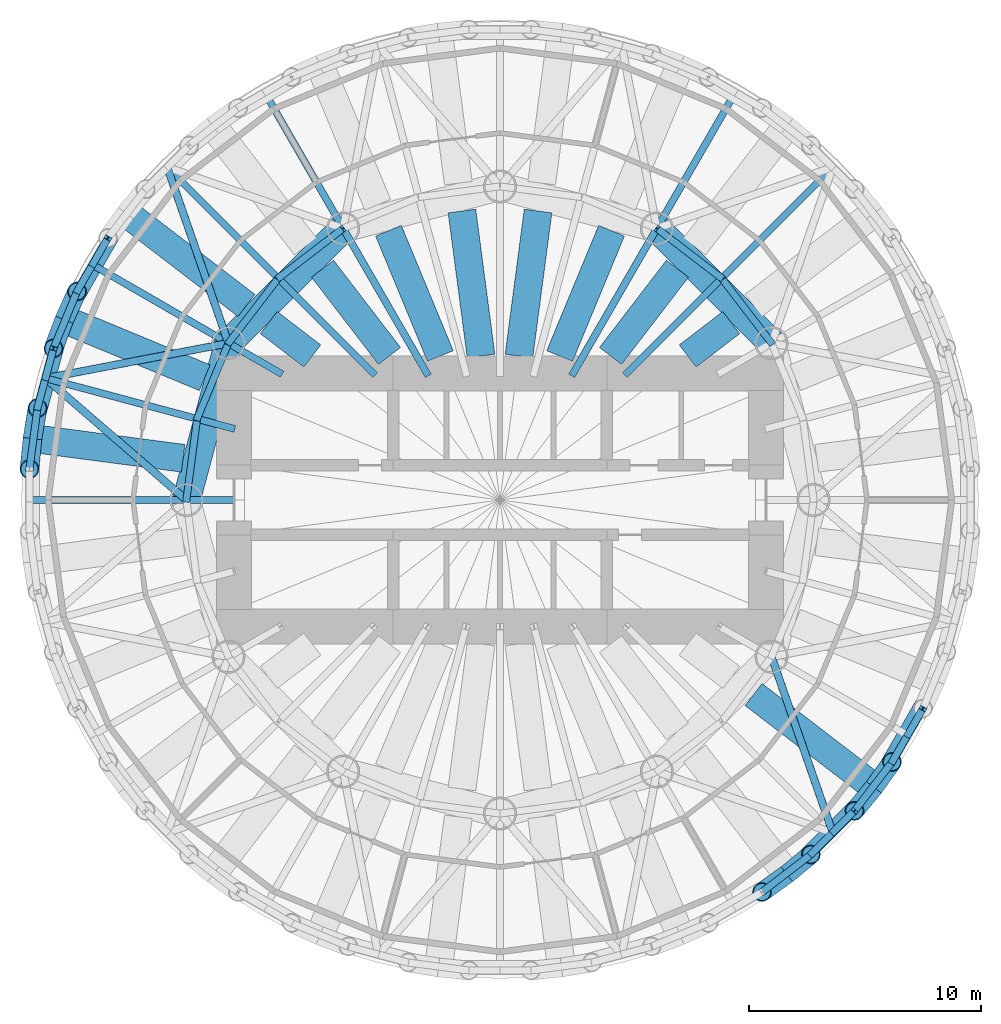
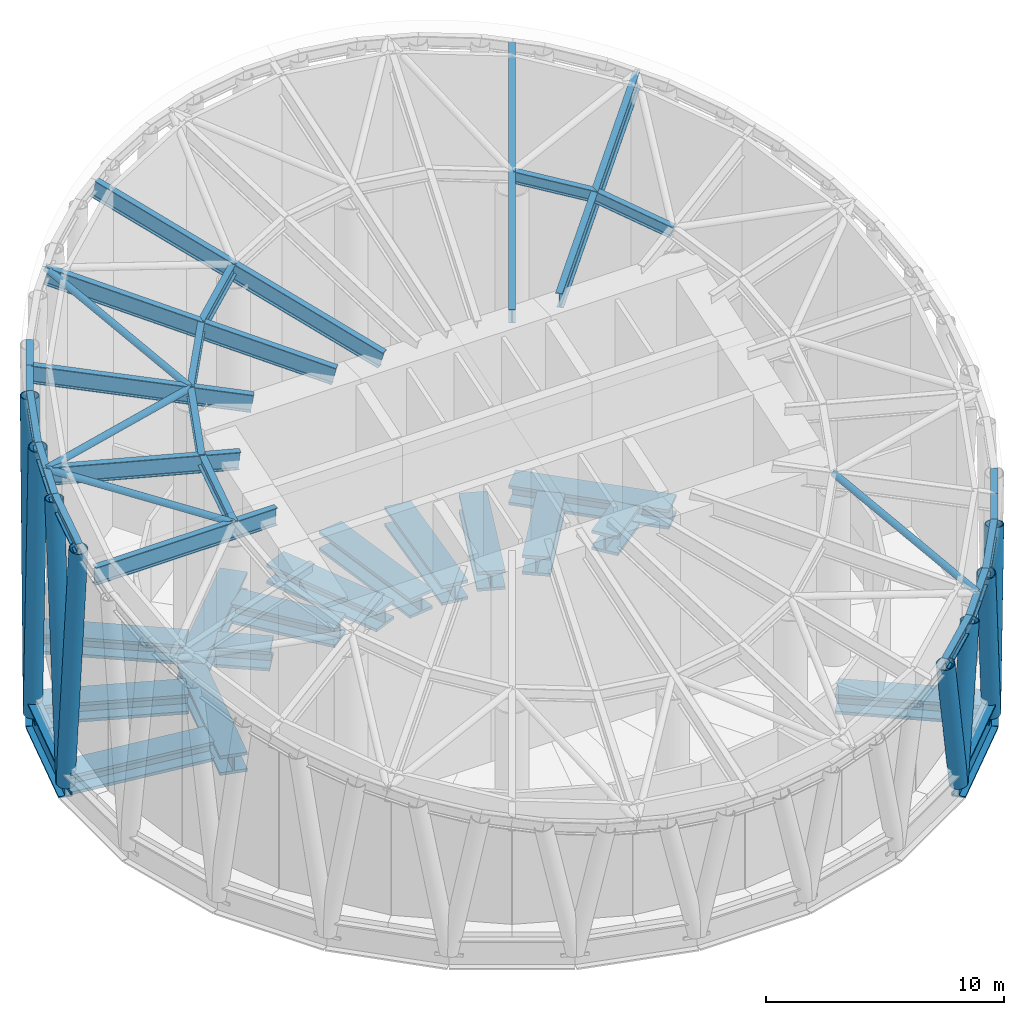
# One storey, part 3 of 9: 44 beams, 12 members.
"""IFC4 building model written with IfcOpenShell, lengths in metres."""

from ifc_helpers import new_model, si_unit, direction, frame, origin, origin_2d, place, context, subcontext, project, spatial, hollow_circle, i_section, extrude, material, material_profile, profile_set, type_object, element, save


model = new_model("IFC4")

# Units and contexts
model_context = context("Model", 3, precision=1e-05, world=origin(), true_north=direction((0.0, 1.0)))
body_context = subcontext(model_context, "Body", "Model", "MODEL_VIEW")
ifc_project = project(units=[si_unit("LENGTHUNIT", "METRE"), si_unit("AREAUNIT", "SQUARE_METRE"), si_unit("VOLUMEUNIT", "CUBIC_METRE"), si_unit("PLANEANGLEUNIT", "RADIAN"), si_unit("MASSUNIT", "GRAM", prefix="KILO")], contexts=[model_context])

# Site, building, storey
site_placement = place(None, origin())
site = spatial("IfcSite", under=ifc_project, at=site_placement, CompositionType="ELEMENT")
building_placement = place(site_placement, origin())
building = spatial("IfcBuilding", under=site, at=building_placement, Name="Qaws Media Tower", CompositionType="ELEMENT")
storey_placement = place(building_placement, frame((0.0, 0.0, 286.39990234375)))
storey = spatial("IfcBuildingStorey", under=building, at=storey_placement, Name="L66", CompositionType="ELEMENT", Elevation=286.39990234375)

# Members
ifc_material_1 = material(Name="Steel S355", Category="steel")
ifc_material_profile_1 = material_profile(ifc_material_1, hollow_circle(Radius=0.406494140625, WallThickness=0.0400390625, at=origin_2d()), Name="CHS 813x40")
ifc_profile_set_1 = profile_set([ifc_material_profile_1], Name="Steel S355")
member_type_1 = type_object("IfcMemberType", Name="Crown diagrid member CHS 813x40", PredefinedType="USERDEFINED", material=ifc_profile_set_1)
member_1_placement = place(storey_placement, frame((41.245361328125, 57.7685546875, -1.0), z_axis=(-0.032019466778, -0.085067889567, 0.995860536376), x_axis=(0.935898018612, -0.352271058645, 0.0)))
element("IfcMember", 1, at=member_1_placement, inside=storey, type_object=member_type_1, Name="DG5 crown diagrid A11", ObjectType="DIAGRID", PredefinedType="USERDEFINED", context=body_context, shape_type="SweptSolid", body=[
    extrude(hollow_circle(Radius=0.406494140625, WallThickness=0.0400390625, at=origin_2d()), origin(), (0.0, 0.0, 1.0), 14.61669921875),
])
member_2_placement = place(storey_placement, frame((41.245361328125, 57.7685546875, -1.0), z_axis=(0.035566092022, 0.078514722522, 0.996278320273), x_axis=(-0.910900743687, 0.412625538656, 0.0)))
element("IfcMember", 2, at=member_2_placement, inside=storey, type_object=member_type_1, Name="DG5 crown diagrid B11", ObjectType="DIAGRID", PredefinedType="USERDEFINED", context=body_context, shape_type="SweptSolid", body=[
    extrude(hollow_circle(Radius=0.406494140625, WallThickness=0.0400390625, at=origin_2d()), origin(), (0.0, 0.0, 1.0), 15.41064453125),
])
member_3_placement = place(storey_placement, frame((39.873779296875, 52.649658203125, -1.0), z_axis=(-0.0100782986, -0.102198477375, 0.994712973234), x_axis=(0.995172725199, -0.098138916945, 0.0)))
element("IfcMember", 3, at=member_3_placement, inside=storey, type_object=member_type_1, Name="DG5 crown diagrid A12", ObjectType="DIAGRID", PredefinedType="USERDEFINED", context=body_context, shape_type="SweptSolid", body=[
    extrude(hollow_circle(Radius=0.406494140625, WallThickness=0.0400390625, at=origin_2d()), origin(), (0.0, 0.0, 1.0), 12.935791015625),
])
member_4_placement = place(storey_placement, frame((39.873779296875, 52.649658203125, -1.0), z_axis=(0.015689526543, 0.09507569753, 0.995346397239), x_axis=(-0.986655896054, 0.162819356287, 0.0)))
element("IfcMember", 4, at=member_4_placement, inside=storey, type_object=member_type_1, Name="DG5 crown diagrid B12", ObjectType="DIAGRID", PredefinedType="USERDEFINED", context=body_context, shape_type="SweptSolid", body=[
    extrude(hollow_circle(Radius=0.406494140625, WallThickness=0.0400390625, at=origin_2d()), origin(), (0.0, 0.0, 1.0), 13.786865234375),
])
member_5_placement = place(storey_placement, frame((72.35791015625, 33.89501953125, -1.0), z_axis=(0.135217273694, 0.110945033647, 0.984584932042), x_axis=(-0.634308161704, 0.773080303717, 0.0)))
element("IfcMember", 5, at=member_5_placement, inside=storey, type_object=member_type_1, Name="DG5 crown diagrid A21", ObjectType="DIAGRID", PredefinedType="USERDEFINED", context=body_context, shape_type="SweptSolid", body=[
    extrude(hollow_circle(Radius=0.406494140625, WallThickness=0.0400390625, at=origin_2d()), origin(), (0.0, 0.0, 1.0), 7.593994140625),
])
member_6_placement = place(storey_placement, frame((72.35791015625, 33.89501953125, -1.0), z_axis=(-0.152573445838, -0.109350627019, 0.98222389708), x_axis=(0.582541199639, -0.812801175395, 0.0)))
element("IfcMember", 6, at=member_6_placement, inside=storey, type_object=member_type_1, Name="DG5 crown diagrid B21", ObjectType="DIAGRID", PredefinedType="USERDEFINED", context=body_context, shape_type="SweptSolid", body=[
    extrude(hollow_circle(Radius=0.406494140625, WallThickness=0.0400390625, at=origin_2d()), origin(), (0.0, 0.0, 1.0), 7.077392578125),
])
member_7_placement = place(storey_placement, frame((76.10498046875, 37.64208984375, -1.0), z_axis=(0.087237070929, 0.121719105589, 0.988723496631), x_axis=(-0.812801175395, 0.582541199639, 0.0)))
element("IfcMember", 7, at=member_7_placement, inside=storey, type_object=member_type_1, Name="DG5 crown diagrid A22", ObjectType="DIAGRID", PredefinedType="USERDEFINED", context=body_context, shape_type="SweptSolid", body=[
    extrude(hollow_circle(Radius=0.406494140625, WallThickness=0.0400390625, at=origin_2d()), origin(), (0.0, 0.0, 1.0), 8.87158203125),
])
member_8_placement = place(storey_placement, frame((76.10498046875, 37.64208984375, -1.0), z_axis=(-0.102806764596, -0.125298537204, 0.986778113726), x_axis=(0.773080303717, -0.634308161704, 0.0)))
element("IfcMember", 8, at=member_8_placement, inside=storey, type_object=member_type_1, Name="DG5 crown diagrid B22", ObjectType="DIAGRID", PredefinedType="USERDEFINED", context=body_context, shape_type="SweptSolid", body=[
    extrude(hollow_circle(Radius=0.406494140625, WallThickness=0.0400390625, at=origin_2d()), origin(), (0.0, 0.0, 1.0), 8.1953125),
])

# Beams
ifc_material_2 = material(Name="Steel S355", Category="steel")
ifc_material_profile_2 = material_profile(ifc_material_2, i_section(OverallWidth=0.304931640625, OverallDepth=0.6201171875, WebThickness=0.02099609375, FlangeThickness=0.0400390625, FilletRadius=0.027099609375, at=origin_2d()), Name="HE 600 M")
ifc_profile_set_2 = profile_set([ifc_material_profile_2], Name="Steel S355")
beam_type_1 = type_object("IfcBeamType", Name="Crown edge beam HE 600 M", PredefinedType="BEAM", material=ifc_profile_set_2)
beam_1_placement = place(storey_placement, frame((43.12109375, 61.278076171875, 15.100341796875), z_axis=(-0.48127315493, -0.833687590923, -0.270815714249), x_axis=(0.866050862637, -0.499955901382, 0.0)))
element("IfcBeam", 9, at=beam_1_placement, inside=storey, type_object=beam_type_1, Name="B5 crown edge beam 20 part a", PredefinedType="BEAM", context=body_context, shape_type="SweptSolid", body=[
    extrude(i_section(OverallWidth=0.304931640625, OverallDepth=0.6201171875, WebThickness=0.02099609375, FlangeThickness=0.0400390625, FilletRadius=0.027099609375, at=origin_2d()), origin(), (0.0, 0.0, 1.0), 1.37939453125),
])
beam_2_placement = place(storey_placement, frame((42.457275390625, 60.128173828125, 14.726806640625), z_axis=(-0.481344182578, -0.833633599029, -0.270855681995), x_axis=(0.866004891035, -0.500035527442, 0.0)))
element("IfcBeam", 10, at=beam_2_placement, inside=storey, type_object=beam_type_1, Name="B5 crown edge beam 20 part b", PredefinedType="BEAM", context=body_context, shape_type="SweptSolid", body=[
    extrude(i_section(OverallWidth=0.304931640625, OverallDepth=0.6201171875, WebThickness=0.02099609375, FlangeThickness=0.0400390625, FilletRadius=0.027099609375, at=origin_2d()), origin(), (0.0, 0.0, 1.0), 1.379150390625),
])
beam_3_placement = place(storey_placement, frame((41.79345703125, 58.978515625, 14.353271484375), z_axis=(-0.366493573398, -0.884885612465, -0.287506371251), x_axis=(0.923893577046, -0.382649524099, 0.0)))
element("IfcBeam", 11, at=beam_3_placement, inside=storey, type_object=beam_type_1, Name="B5 crown edge beam 21", PredefinedType="BEAM", context=body_context, shape_type="SweptSolid", body=[
    extrude(i_section(OverallWidth=0.304931640625, OverallDepth=0.6201171875, WebThickness=0.02099609375, FlangeThickness=0.0400390625, FilletRadius=0.027099609375, at=origin_2d()), origin(), (0.0, 0.0, 1.0), 2.7724609375),
])
beam_4_placement = place(storey_placement, frame((40.77734375, 56.525146484375, 13.55615234375), z_axis=(-0.247016319805, -0.921574380637, -0.299472200218), x_axis=(0.965904544249, -0.258898457701, 0.0)))
element("IfcBeam", 12, at=beam_4_placement, inside=storey, type_object=beam_type_1, Name="B5 crown edge beam 22 part a", PredefinedType="BEAM", context=body_context, shape_type="SweptSolid", body=[
    extrude(i_section(OverallWidth=0.304931640625, OverallDepth=0.6201171875, WebThickness=0.02099609375, FlangeThickness=0.0400390625, FilletRadius=0.027099609375, at=origin_2d()), origin(), (0.0, 0.0, 1.0), 1.3916015625),
])
beam_5_placement = place(storey_placement, frame((40.43359375, 55.24267578125, 13.139404296875), z_axis=(-0.246891496102, -0.921587873153, -0.299533606145), x_axis=(0.965938200976, -0.258772857725, 0.0)))
element("IfcBeam", 13, at=beam_5_placement, inside=storey, type_object=beam_type_1, Name="B5 crown edge beam 22 part b", PredefinedType="BEAM", context=body_context, shape_type="SweptSolid", body=[
    extrude(i_section(OverallWidth=0.304931640625, OverallDepth=0.6201171875, WebThickness=0.02099609375, FlangeThickness=0.0400390625, FilletRadius=0.027099609375, at=origin_2d()), origin(), (0.0, 0.0, 1.0), 1.391357421875),
])
beam_6_placement = place(storey_placement, frame((40.090087890625, 53.96044921875, 12.72265625), z_axis=(-0.124264357392, -0.943709035289, -0.30654791827), x_axis=(0.991441774115, -0.130549640138, 0.0)))
element("IfcBeam", 14, at=beam_6_placement, inside=storey, type_object=beam_type_1, Name="B5 crown edge beam 23", PredefinedType="BEAM", context=body_context, shape_type="SweptSolid", body=[
    extrude(i_section(OverallWidth=0.304931640625, OverallDepth=0.6201171875, WebThickness=0.02099609375, FlangeThickness=0.0400390625, FilletRadius=0.027099609375, at=origin_2d()), origin(), (0.0, 0.0, 1.0), 2.789794921875),
])
beam_7_placement = place(storey_placement, frame((71.278076171875, 33.12109375, 5.95166015625), z_axis=(0.778277328029, 0.597169334672, 0.194095817582), x_axis=(-0.608746117959, 0.793365088638, 0.0)))
element("IfcBeam", 15, at=beam_7_placement, inside=storey, type_object=beam_type_1, Name="B5 crown edge beam 41", PredefinedType="BEAM", context=body_context, shape_type="SweptSolid", body=[
    extrude(i_section(OverallWidth=0.304931640625, OverallDepth=0.6201171875, WebThickness=0.02099609375, FlangeThickness=0.0400390625, FilletRadius=0.027099609375, at=origin_2d()), origin(), (0.0, 0.0, 1.0), 2.706787109375),
])
for number, where, z_axis, x_axis, name in (
    (16, (73.384765625, 34.737548828125, 6.47705078125), (0.689075381451, 0.689254594814, 0.223837490619), (-0.70719871472, 0.707014835699, 0.0), "B5 crown edge beam 42 part a"),
    (17, (74.323486328125, 35.676513671875, 6.781982421875), (0.689254594814, 0.689075381451, 0.223837490619), (-0.707014835699, 0.70719871472, 0.0), "B5 crown edge beam 42 part b"),
):
    element("IfcBeam", number, at=place(storey_placement, frame(where, z_axis=z_axis, x_axis=x_axis)), inside=storey, type_object=beam_type_1, Name=name, PredefinedType="BEAM", context=body_context, shape_type="SweptSolid", body=[
        extrude(i_section(OverallWidth=0.304931640625, OverallDepth=0.6201171875, WebThickness=0.02099609375, FlangeThickness=0.0400390625, FilletRadius=0.027099609375, at=origin_2d()), origin(), (0.0, 0.0, 1.0), 1.3623046875),
    ])
beam_8_placement = place(storey_placement, frame((75.262451171875, 36.615234375, 7.0869140625), z_axis=(0.589472117613, 0.768245718604, 0.249642020508), x_axis=(-0.793365088638, 0.608746117959, 0.0)))
element("IfcBeam", 18, at=beam_8_placement, inside=storey, type_object=beam_type_1, Name="B5 crown edge beam 43", PredefinedType="BEAM", context=body_context, shape_type="SweptSolid", body=[
    extrude(i_section(OverallWidth=0.304931640625, OverallDepth=0.6201171875, WebThickness=0.02099609375, FlangeThickness=0.0400390625, FilletRadius=0.027099609375, at=origin_2d()), origin(), (0.0, 0.0, 1.0), 2.7421875),
])
beam_9_placement = place(storey_placement, frame((76.87890625, 38.721923828125, 7.771484375), z_axis=(0.48127315493, 0.833687590923, 0.270815714249), x_axis=(-0.866050862637, 0.499955901382, 0.0)))
element("IfcBeam", 19, at=beam_9_placement, inside=storey, type_object=beam_type_1, Name="B5 crown edge beam 44 part a", PredefinedType="BEAM", context=body_context, shape_type="SweptSolid", body=[
    extrude(i_section(OverallWidth=0.304931640625, OverallDepth=0.6201171875, WebThickness=0.02099609375, FlangeThickness=0.0400390625, FilletRadius=0.027099609375, at=origin_2d()), origin(), (0.0, 0.0, 1.0), 1.37939453125),
])
beam_10_placement = place(storey_placement, frame((77.542724609375, 39.871826171875, 8.14501953125), z_axis=(0.481321096463, 0.833593616493, 0.271019712646), x_axis=(-0.866004891035, 0.500035527442, 0.0)))
element("IfcBeam", 20, at=beam_10_placement, inside=storey, type_object=beam_type_1, Name="B5 crown edge beam 44 part b", PredefinedType="BEAM", context=body_context, shape_type="SweptSolid", body=[
    extrude(i_section(OverallWidth=0.304931640625, OverallDepth=0.6201171875, WebThickness=0.02099609375, FlangeThickness=0.0400390625, FilletRadius=0.027099609375, at=origin_2d()), origin(), (0.0, 0.0, 1.0), 1.379150390625),
])
ifc_material_3 = material(Name="Steel S355", Category="steel")
ifc_material_profile_3 = material_profile(ifc_material_3, i_section(OverallWidth=0.300048828125, OverallDepth=0.89990234375, WebThickness=0.0185546875, FlangeThickness=0.034912109375, FilletRadius=0.030029296875, at=origin_2d()), Name="HE 900 B")
ifc_profile_set_3 = profile_set([ifc_material_profile_3], Name="Steel S355")
beam_type_2 = type_object("IfcBeamType", Name="Crown rafter HE 900 B", PredefinedType="BEAM", material=ifc_profile_set_3)
beam_11_placement = place(storey_placement, frame((65.449951171875, 55.449951171875, 13.070556640625), z_axis=(0.689150386307, 0.689150386307, 0.223927421512), x_axis=(-0.707106781187, 0.707106781187, 0.0)))
element("IfcBeam", 21, at=beam_11_placement, inside=storey, type_object=beam_type_2, Name="B4 crown rafter 04", PredefinedType="BEAM", context=body_context, shape_type="SweptSolid", body=[
    extrude(i_section(OverallWidth=0.300048828125, OverallDepth=0.89990234375, WebThickness=0.0185546875, FlangeThickness=0.034912109375, FilletRadius=0.030029296875, at=origin_2d()), origin(), (0.0, 0.0, 1.0), 12.8759765625),
])
for number, where, z_axis, x_axis, name in (
    (22, (63.146484375, 55.449951171875, 13.074951171875), (0.481303840688, 0.833651845892, 0.270871210688), (-0.8660277775, 0.499995888581, 0.0), "B4 crown rafter 05"),
    (23, (56.853515625, 55.449951171875, 13.074951171875), (-0.481303840688, 0.833651845892, 0.270871210688), (-0.8660277775, -0.499995888581, 0.0), "B4 crown rafter 09"),
):
    element("IfcBeam", number, at=place(storey_placement, frame(where, z_axis=z_axis, x_axis=x_axis)), inside=storey, type_object=beam_type_2, Name=name, PredefinedType="BEAM", context=body_context, shape_type="SweptSolid", body=[
        extrude(i_section(OverallWidth=0.300048828125, OverallDepth=0.89990234375, WebThickness=0.0185546875, FlangeThickness=0.034912109375, FilletRadius=0.030029296875, at=origin_2d()), origin(), (0.0, 0.0, 1.0), 14.505859375),
    ])
beam_12_placement = place(storey_placement, frame((54.550048828125, 55.449951171875, 13.070556640625), z_axis=(-0.689150386307, 0.689150386307, 0.223927421512), x_axis=(-0.707106781187, -0.707106781187, 0.0)))
element("IfcBeam", 24, at=beam_12_placement, inside=storey, type_object=beam_type_2, Name="B4 crown rafter 10", PredefinedType="BEAM", context=body_context, shape_type="SweptSolid", body=[
    extrude(i_section(OverallWidth=0.300048828125, OverallDepth=0.89990234375, WebThickness=0.0185546875, FlangeThickness=0.034912109375, FilletRadius=0.030029296875, at=origin_2d()), origin(), (0.0, 0.0, 1.0), 12.8759765625),
])
beam_13_placement = place(storey_placement, frame((50.560302734375, 55.449951171875, 13.068603515625), z_axis=(-0.854821637434, 0.493524923667, 0.160353103786), x_axis=(-0.499995001195, -0.866028289827, 0.0)))
element("IfcBeam", 25, at=beam_13_placement, inside=storey, type_object=beam_type_2, Name="B4 crown rafter 11", PredefinedType="BEAM", context=body_context, shape_type="SweptSolid", body=[
    extrude(i_section(OverallWidth=0.300048828125, OverallDepth=0.89990234375, WebThickness=0.0185546875, FlangeThickness=0.034912109375, FilletRadius=0.030029296875, at=origin_2d()), origin(), (0.0, 0.0, 1.0), 9.479248046875),
])
beam_14_placement = place(storey_placement, frame((48.550048828125, 53.068115234375, 12.294189453125), z_axis=(-0.962536158598, 0.25788267603, 0.083789431282), x_axis=(-0.258792725137, -0.965932878318, 0.0)))
element("IfcBeam", 26, at=beam_14_placement, inside=storey, type_object=beam_type_2, Name="B4 crown rafter 12", PredefinedType="BEAM", context=body_context, shape_type="SweptSolid", body=[
    extrude(i_section(OverallWidth=0.300048828125, OverallDepth=0.89990234375, WebThickness=0.0185546875, FlangeThickness=0.034912109375, FilletRadius=0.030029296875, at=origin_2d()), origin(), (0.0, 0.0, 1.0), 8.432373046875),
])
beam_15_placement = place(storey_placement, frame((48.550048828125, 50.0, 11.297119140625), z_axis=(-1.0, 0.0, 0.0), x_axis=(0.0, -1.0, 0.0)))
element("IfcBeam", 27, at=beam_15_placement, inside=storey, type_object=beam_type_2, Name="B4 crown rafter 13", PredefinedType="BEAM", context=body_context, shape_type="SweptSolid", body=[
    extrude(i_section(OverallWidth=0.300048828125, OverallDepth=0.89990234375, WebThickness=0.0185546875, FlangeThickness=0.034912109375, FilletRadius=0.030029296875, at=origin_2d()), origin(), (0.0, 0.0, 1.0), 8.806640625),
])

# Members
ifc_material_4 = material(Name="Steel S355", Category="steel")
ifc_material_profile_4 = material_profile(ifc_material_4, hollow_circle(Radius=0.161865234375, WallThickness=0.01611328125, at=origin_2d()), Name="CHS 323.9x16")
ifc_profile_set_4 = profile_set([ifc_material_profile_4], Name="Steel S355")
member_type_2 = type_object("IfcMemberType", Name="Crown roof brace CHS 323.9x16", PredefinedType="BRACE", material=ifc_profile_set_4)
member_9_placement = place(storey_placement, frame((48.30859375, 56.75, 13.81884765625), z_axis=(-0.313828586776, 0.903003115701, 0.293422887923), x_axis=(-0.944580977399, -0.328278505443, 0.0)))
element("IfcMember", 28, at=member_9_placement, inside=storey, type_object=member_type_2, Name="CB1 crown roof brace 10", PredefinedType="BRACE", context=body_context, shape_type="SweptSolid", body=[
    extrude(hollow_circle(Radius=0.161865234375, WallThickness=0.01611328125, at=origin_2d()), origin(), (0.0, 0.0, 1.0), 8.386962890625),
])
member_10_placement = place(storey_placement, frame((48.30859375, 56.75, 13.81884765625), z_axis=(-0.980343185133, -0.187643812779, -0.060967523232), x_axis=(0.187993527685, -0.982170267086, 0.0)))
element("IfcMember", 29, at=member_10_placement, inside=storey, type_object=member_type_2, Name="CB1 crown roof brace 11", PredefinedType="BRACE", context=body_context, shape_type="SweptSolid", body=[
    extrude(hollow_circle(Radius=0.161865234375, WallThickness=0.01611328125, at=origin_2d()), origin(), (0.0, 0.0, 1.0), 8.032958984375),
])
member_11_placement = place(storey_placement, frame((46.5, 50.0, 11.625732421875), z_axis=(-0.740089664162, 0.639596162597, 0.207807694255), x_axis=(-0.653870348393, -0.756606613434, 0.0)))
element("IfcMember", 30, at=member_11_placement, inside=storey, type_object=member_type_2, Name="CB1 crown roof brace 12", PredefinedType="BRACE", context=body_context, shape_type="SweptSolid", body=[
    extrude(hollow_circle(Radius=0.161865234375, WallThickness=0.01611328125, at=origin_2d()), origin(), (0.0, 0.0, 1.0), 8.19677734375),
])
member_12_placement = place(storey_placement, frame((71.69140625, 43.25, 9.432373046875), z_axis=(0.313831267203, -0.903010828299, -0.293396284402), x_axis=(0.944580977399, 0.328278505443, 0.0)))
element("IfcMember", 31, at=member_12_placement, inside=storey, type_object=member_type_2, Name="CB1 crown roof brace 22", PredefinedType="BRACE", context=body_context, shape_type="SweptSolid", body=[
    extrude(hollow_circle(Radius=0.161865234375, WallThickness=0.01611328125, at=origin_2d()), origin(), (0.0, 0.0, 1.0), 8.386962890625),
])

# Beams
ifc_material_5 = material(Name="Steel S355", Category="steel")
ifc_material_profile_5 = material_profile(ifc_material_5, i_section(OverallWidth=0.300048828125, OverallDepth=0.60009765625, WebThickness=0.015380859375, FlangeThickness=0.030029296875, FilletRadius=0.027099609375, at=origin_2d()), Name="HE 600 B")
ifc_profile_set_5 = profile_set([ifc_material_profile_5], Name="Steel S355")
beam_type_3 = type_object("IfcBeamType", Name="Crown tie ring HE 600 B", PredefinedType="BEAM", material=ifc_profile_set_5)
beam_16_placement = place(storey_placement, frame((71.69140625, 56.75, 13.649658203125), z_axis=(-0.589515811886, 0.768222016126, 0.249611781523), x_axis=(-0.793334224718, -0.608786340099, 0.0)))
element("IfcBeam", 32, at=beam_16_placement, inside=storey, type_object=beam_type_3, Name="B17 crown tie ring 03", PredefinedType="BEAM", context=body_context, shape_type="SweptSolid", body=[
    extrude(i_section(OverallWidth=0.300048828125, OverallDepth=0.60009765625, WebThickness=0.015380859375, FlangeThickness=0.030029296875, FilletRadius=0.027099609375, at=origin_2d()), origin(), (0.0, 0.0, 1.0), 3.639404296875),
])
for number, where, z_axis, x_axis, name in (
    (33, (69.5458984375, 59.5458984375, 14.55322265625), (-0.778258787913, 0.597217798479, 0.194021030343), (-0.608786340099, -0.793334224718, 0.0), "B17 crown tie ring 04"),
    (34, (53.25, 61.69140625, 15.250244140625), (-0.778258787913, -0.597217798479, -0.194021030343), (0.608786340099, -0.793334224718, 0.0), "B17 crown tie ring 09"),
):
    element("IfcBeam", number, at=place(storey_placement, frame(where, z_axis=z_axis, x_axis=x_axis)), inside=storey, type_object=beam_type_3, Name=name, PredefinedType="BEAM", context=body_context, shape_type="SweptSolid", body=[
        extrude(i_section(OverallWidth=0.300048828125, OverallDepth=0.60009765625, WebThickness=0.015380859375, FlangeThickness=0.030029296875, FilletRadius=0.027099609375, at=origin_2d()), origin(), (0.0, 0.0, 1.0), 3.592529296875),
    ])
beam_17_placement = place(storey_placement, frame((50.4541015625, 59.5458984375, 14.55810546875), z_axis=(-0.589515811886, -0.768222016126, -0.249611781523), x_axis=(0.793334224718, -0.608786340099, 0.0)))
element("IfcBeam", 35, at=beam_17_placement, inside=storey, type_object=beam_type_3, Name="B17 crown tie ring 10", PredefinedType="BEAM", context=body_context, shape_type="SweptSolid", body=[
    extrude(i_section(OverallWidth=0.300048828125, OverallDepth=0.60009765625, WebThickness=0.015380859375, FlangeThickness=0.030029296875, FilletRadius=0.027099609375, at=origin_2d()), origin(), (0.0, 0.0, 1.0), 3.639404296875),
])
beam_18_placement = place(storey_placement, frame((48.30859375, 56.75, 13.6572265625), z_axis=(-0.366529070977, -0.884871775986, -0.28750370466), x_axis=(0.923878358498, -0.382686266672, 0.0)))
element("IfcBeam", 36, at=beam_18_placement, inside=storey, type_object=beam_type_3, Name="B17 crown tie ring 11", PredefinedType="BEAM", context=body_context, shape_type="SweptSolid", body=[
    extrude(i_section(OverallWidth=0.300048828125, OverallDepth=0.60009765625, WebThickness=0.015380859375, FlangeThickness=0.030029296875, FilletRadius=0.027099609375, at=origin_2d()), origin(), (0.0, 0.0, 1.0), 3.679443359375),
])
beam_19_placement = place(storey_placement, frame((46.9599609375, 53.494140625, 12.609619140625), z_axis=(-0.124225849898, -0.943694460585, -0.306608387488), x_axis=(0.991446748745, -0.130511855411, 0.0)))
element("IfcBeam", 37, at=beam_19_placement, inside=storey, type_object=beam_type_3, Name="B17 crown tie ring 12", PredefinedType="BEAM", context=body_context, shape_type="SweptSolid", body=[
    extrude(i_section(OverallWidth=0.300048828125, OverallDepth=0.60009765625, WebThickness=0.015380859375, FlangeThickness=0.030029296875, FilletRadius=0.027099609375, at=origin_2d()), origin(), (0.0, 0.0, 1.0), 3.70263671875),
])
ifc_material_6 = material(Name="Steel S460", Category="steel")
ifc_material_profile_6 = material_profile(ifc_material_6, i_section(OverallWidth=0.60009765625, OverallDepth=1.5, WebThickness=0.030029296875, FlangeThickness=0.080078125, at=origin_2d()), Name="PG 1500x600")
ifc_profile_set_6 = profile_set([ifc_material_profile_6], Name="Steel S460")
beam_type_4 = type_object("IfcBeamType", Name="Edge ring beam PG 1500x600", PredefinedType="BEAM", material=ifc_profile_set_6)
beam_20_placement = place(storey_placement, frame((43.89501953125, 62.35791015625, -1.0), z_axis=(-0.499998950975, -0.866026009438, 0.0), x_axis=(0.866026009438, -0.499998950975, 0.0)))
element("IfcBeam", 38, at=beam_20_placement, inside=storey, type_object=beam_type_4, Name="RB5 edge ring beam L66-10", PredefinedType="BEAM", context=body_context, shape_type="SweptSolid", body=[
    extrude(i_section(OverallWidth=0.60009765625, OverallDepth=1.5, WebThickness=0.030029296875, FlangeThickness=0.080078125, at=origin_2d()), origin(), (0.0, 0.0, 1.0), 5.29931640625),
])
beam_21_placement = place(storey_placement, frame((41.245361328125, 57.7685546875, -1.0), z_axis=(-0.258815145792, -0.965926871098, 0.0), x_axis=(0.965926871098, -0.258815145792, 0.0)))
element("IfcBeam", 39, at=beam_21_placement, inside=storey, type_object=beam_type_4, Name="RB5 edge ring beam L66-11", PredefinedType="BEAM", context=body_context, shape_type="SweptSolid", body=[
    extrude(i_section(OverallWidth=0.60009765625, OverallDepth=1.5, WebThickness=0.030029296875, FlangeThickness=0.080078125, at=origin_2d()), origin(), (0.0, 0.0, 1.0), 5.299560546875),
])
beam_22_placement = place(storey_placement, frame((72.35791015625, 33.89501953125, -1.0), z_axis=(0.707106781187, 0.707106781187, 0.0), x_axis=(-0.707106781187, 0.707106781187, 0.0)))
element("IfcBeam", 40, at=beam_22_placement, inside=storey, type_object=beam_type_4, Name="RB5 edge ring beam L66-21", PredefinedType="BEAM", context=body_context, shape_type="SweptSolid", body=[
    extrude(i_section(OverallWidth=0.60009765625, OverallDepth=1.5, WebThickness=0.030029296875, FlangeThickness=0.080078125, at=origin_2d()), origin(), (0.0, 0.0, 1.0), 5.299072265625),
])
beam_23_placement = place(storey_placement, frame((76.10498046875, 37.64208984375, -1.0), z_axis=(0.499998950975, 0.866026009438, 0.0), x_axis=(-0.866026009438, 0.499998950975, 0.0)))
element("IfcBeam", 41, at=beam_23_placement, inside=storey, type_object=beam_type_4, Name="RB5 edge ring beam L66-22", PredefinedType="BEAM", context=body_context, shape_type="SweptSolid", body=[
    extrude(i_section(OverallWidth=0.60009765625, OverallDepth=1.5, WebThickness=0.030029296875, FlangeThickness=0.080078125, at=origin_2d()), origin(), (0.0, 0.0, 1.0), 5.29931640625),
])
ifc_material_7 = material(Name="Steel S460", Category="steel")
ifc_material_profile_7 = material_profile(ifc_material_7, i_section(OverallWidth=1.199951171875, OverallDepth=1.0, WebThickness=0.06005859375, FlangeThickness=0.14990234375, at=origin_2d()), Name="PG 1000x1200")
ifc_profile_set_7 = profile_set([ifc_material_profile_7], Name="Steel S460")
beam_type_5 = type_object("IfcBeamType", Name="Inner ring girder PG 1000x1200", PredefinedType="BEAM", material=ifc_profile_set_7)
for number, where, z_axis, x_axis, name in (
    (42, (71.69140625, 56.75, -0.75), (-0.707106781187, 0.707106781187, 0.0), (-0.707106781187, -0.707106781187, 0.0), "B3 inner ring beam L66 I02-I03"),
    (43, (53.25, 61.69140625, -0.75), (-0.707106781187, -0.707106781187, 0.0), (0.707106781187, -0.707106781187, 0.0), "B3 inner ring beam L66 I05-I06"),
):
    element("IfcBeam", number, at=place(storey_placement, frame(where, z_axis=z_axis, x_axis=x_axis)), inside=storey, type_object=beam_type_5, Name=name, PredefinedType="BEAM", context=body_context, shape_type="SweptSolid", body=[
        extrude(i_section(OverallWidth=1.199951171875, OverallDepth=1.0, WebThickness=0.06005859375, FlangeThickness=0.14990234375, at=origin_2d()), origin(), (0.0, 0.0, 1.0), 6.98828125),
    ])
beam_24_placement = place(storey_placement, frame((48.30859375, 56.75, -0.75), z_axis=(-0.258810593767, -0.965928090778, 0.0), x_axis=(0.965928090778, -0.258810593767, 0.0)))
element("IfcBeam", 44, at=beam_24_placement, inside=storey, type_object=beam_type_5, Name="B3 inner ring beam L66 I06-I07", PredefinedType="BEAM", context=body_context, shape_type="SweptSolid", body=[
    extrude(i_section(OverallWidth=1.199951171875, OverallDepth=1.0, WebThickness=0.06005859375, FlangeThickness=0.14990234375, at=origin_2d()), origin(), (0.0, 0.0, 1.0), 6.988037109375),
])
ifc_material_8 = material(Name="Steel S355", Category="steel")
ifc_material_profile_8 = material_profile(ifc_material_8, i_section(OverallWidth=1.199951171875, OverallDepth=1.0, WebThickness=0.06005859375, FlangeThickness=0.14990234375, at=origin_2d()), Name="PG 1000x1200")
ifc_profile_set_8 = profile_set([ifc_material_profile_8], Name="Steel S355")
beam_type_6 = type_object("IfcBeamType", Name="Plant floor beam PG 1000x1200", PredefinedType="BEAM", material=ifc_profile_set_8)
beam_25_placement = place(storey_placement, frame((68.080078125, 56.199951171875, -0.75), z_axis=(0.793330215724, 0.608791564346, 0.0), x_axis=(-0.608791564346, 0.793330215724, 0.0)))
element("IfcBeam", 45, at=beam_25_placement, inside=storey, type_object=beam_type_6, Name="B6 radial beam L66 03", PredefinedType="BEAM", context=body_context, shape_type="SweptSolid", body=[
    extrude(i_section(OverallWidth=1.199951171875, OverallDepth=1.0, WebThickness=0.06005859375, FlangeThickness=0.14990234375, at=origin_2d()), origin(), (0.0, 0.0, 1.0), 2.36279296875),
])
beam_26_placement = place(storey_placement, frame((64.75732421875, 56.199951171875, -0.75), z_axis=(0.608770463512, 0.793346407791, 0.0), x_axis=(-0.793346407791, 0.608770463512, 0.0)))
element("IfcBeam", 46, at=beam_26_placement, inside=storey, type_object=beam_type_6, Name="B6 radial beam L66 04", PredefinedType="BEAM", context=body_context, shape_type="SweptSolid", body=[
    extrude(i_section(OverallWidth=1.199951171875, OverallDepth=1.0, WebThickness=0.06005859375, FlangeThickness=0.14990234375, at=origin_2d()), origin(), (0.0, 0.0, 1.0), 4.732666015625),
])
beam_27_placement = place(storey_placement, frame((62.568115234375, 56.199951171875, -0.75), z_axis=(0.382692895409, 0.923875612733, 0.0), x_axis=(-0.923875612733, 0.382692895409, 0.0)))
element("IfcBeam", 47, at=beam_27_placement, inside=storey, type_object=beam_type_6, Name="B6 radial beam L66 05", PredefinedType="BEAM", context=body_context, shape_type="SweptSolid", body=[
    extrude(i_section(OverallWidth=1.199951171875, OverallDepth=1.0, WebThickness=0.06005859375, FlangeThickness=0.14990234375, at=origin_2d()), origin(), (0.0, 0.0, 1.0), 5.836669921875),
])
for number, where, z_axis, x_axis, name in (
    (48, (60.816162109375, 56.199951171875, -0.75), (0.130529769311, 0.991444390434, 0.0), (-0.991444390434, 0.130529769311, 0.0), "B6 radial beam L66 06"),
    (49, (59.183837890625, 56.199951171875, -0.75), (-0.130529769311, 0.991444390434, 0.0), (-0.991444390434, -0.130529769311, 0.0), "B6 radial beam L66 07"),
):
    element("IfcBeam", number, at=place(storey_placement, frame(where, z_axis=z_axis, x_axis=x_axis)), inside=storey, type_object=beam_type_6, Name=name, PredefinedType="BEAM", context=body_context, shape_type="SweptSolid", body=[
        extrude(i_section(OverallWidth=1.199951171875, OverallDepth=1.0, WebThickness=0.06005859375, FlangeThickness=0.14990234375, at=origin_2d()), origin(), (0.0, 0.0, 1.0), 6.2939453125),
    ])
beam_28_placement = place(storey_placement, frame((57.431884765625, 56.199951171875, -0.75), z_axis=(-0.382692895409, 0.923875612733, 0.0), x_axis=(-0.923875612733, -0.382692895409, 0.0)))
element("IfcBeam", 50, at=beam_28_placement, inside=storey, type_object=beam_type_6, Name="B6 radial beam L66 08", PredefinedType="BEAM", context=body_context, shape_type="SweptSolid", body=[
    extrude(i_section(OverallWidth=1.199951171875, OverallDepth=1.0, WebThickness=0.06005859375, FlangeThickness=0.14990234375, at=origin_2d()), origin(), (0.0, 0.0, 1.0), 5.836669921875),
])
beam_29_placement = place(storey_placement, frame((55.24267578125, 56.199951171875, -0.75), z_axis=(-0.608770463512, 0.793346407791, 0.0), x_axis=(-0.793346407791, -0.608770463512, 0.0)))
element("IfcBeam", 51, at=beam_29_placement, inside=storey, type_object=beam_type_6, Name="B6 radial beam L66 09", PredefinedType="BEAM", context=body_context, shape_type="SweptSolid", body=[
    extrude(i_section(OverallWidth=1.199951171875, OverallDepth=1.0, WebThickness=0.06005859375, FlangeThickness=0.14990234375, at=origin_2d()), origin(), (0.0, 0.0, 1.0), 4.732666015625),
])
beam_30_placement = place(storey_placement, frame((49.085205078125, 58.375244140625, -0.75), z_axis=(-0.793346210904, 0.608770720094, 0.0), x_axis=(-0.608770720094, -0.793346210904, 0.0)))
element("IfcBeam", 52, at=beam_30_placement, inside=storey, type_object=beam_type_6, Name="B1 radial beam L66 10", PredefinedType="BEAM", context=body_context, shape_type="SweptSolid", body=[
    extrude(i_section(OverallWidth=1.199951171875, OverallDepth=1.0, WebThickness=0.06005859375, FlangeThickness=0.14990234375, at=origin_2d()), origin(), (0.0, 0.0, 1.0), 6.542236328125),
])
beam_31_placement = place(storey_placement, frame((51.919921875, 56.199951171875, -0.75), z_axis=(-0.793330215724, 0.608791564346, 0.0), x_axis=(-0.608791564346, -0.793330215724, 0.0)))
element("IfcBeam", 53, at=beam_31_placement, inside=storey, type_object=beam_type_6, Name="B6 radial beam L66 10", PredefinedType="BEAM", context=body_context, shape_type="SweptSolid", body=[
    extrude(i_section(OverallWidth=1.199951171875, OverallDepth=1.0, WebThickness=0.06005859375, FlangeThickness=0.14990234375, at=origin_2d()), origin(), (0.0, 0.0, 1.0), 2.36279296875),
])
for number, where, z_axis, x_axis, name in (
    (54, (47.28955078125, 55.264892578125, -0.75), (-0.923875378565, 0.382693460725, 0.0), (-0.382693460725, -0.923875378565, 0.0), "B1 radial beam L66 11"),
    (55, (46.360107421875, 51.795654296875, -0.75), (-0.991443622909, 0.130535598951, 0.0), (-0.130535598951, -0.991443622909, 0.0), "B1 radial beam L66 12"),
    (56, (70.914794921875, 41.624755859375, -0.75), (0.793346210904, -0.608770720094, 0.0), (0.608770720094, 0.793346210904, 0.0), "B1 radial beam L66 22"),
):
    element("IfcBeam", number, at=place(storey_placement, frame(where, z_axis=z_axis, x_axis=x_axis)), inside=storey, type_object=beam_type_6, Name=name, PredefinedType="BEAM", context=body_context, shape_type="SweptSolid", body=[
        extrude(i_section(OverallWidth=1.199951171875, OverallDepth=1.0, WebThickness=0.06005859375, FlangeThickness=0.14990234375, at=origin_2d()), origin(), (0.0, 0.0, 1.0), 6.542236328125),
    ])

save(model, "model.ifc")
